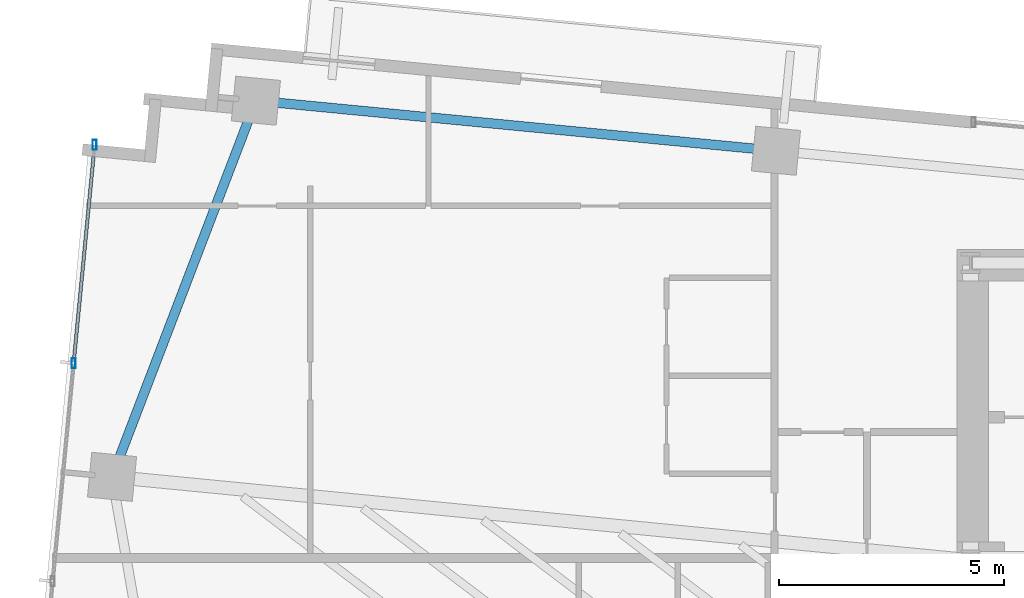
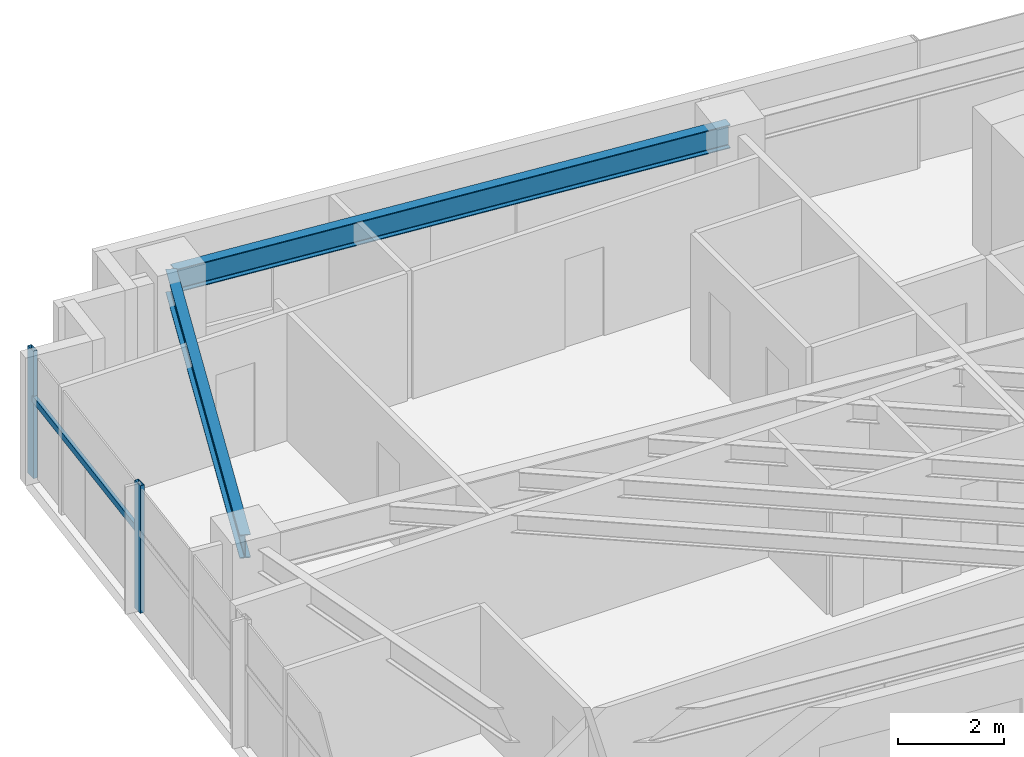
# One storey, part 6 of 20: 3 members, 2 beams, 1 element without a shape of its own.
"""IFC4 building model written with IfcOpenShell, lengths in metres."""

from ifc_helpers import new_model, si_unit, direction, frame, origin, origin_2d, place, context, subcontext, project, spatial, hollow_rectangle, i_section, extrude, source, transform, mapped, material, material_profile, profile_set, type_object, type_shapes, element, aggregate, save


model = new_model("IFC4")

# Units and contexts
model_context = context("Model", 3, precision=1e-05, world=origin(), true_north=direction((0.0, 1.0)))
body_context = subcontext(model_context, "Body", "Model", "MODEL_VIEW")
ifc_project = project(units=[si_unit("LENGTHUNIT", "METRE"), si_unit("AREAUNIT", "SQUARE_METRE"), si_unit("VOLUMEUNIT", "CUBIC_METRE"), si_unit("PLANEANGLEUNIT", "RADIAN"), si_unit("MASSUNIT", "GRAM", prefix="KILO")], contexts=[model_context])

# Site, building, storey
site_placement = place(None, origin())
site = spatial("IfcSite", under=ifc_project, at=site_placement, CompositionType="ELEMENT")
building_placement = place(site_placement, origin())
building = spatial("IfcBuilding", under=site, at=building_placement, Name="Astriad Promenade Condominiums", CompositionType="ELEMENT")
storey_placement = place(building_placement, frame((0.0, 0.0, 131.0)))
storey = spatial("IfcBuildingStorey", under=building, at=storey_placement, Name="L37", CompositionType="ELEMENT", Elevation=131.0)

# Beams
ifc_material_1 = material(Name="Steel ASTM A992 Grade 50", Category="steel")
ifc_material_profile_1 = material_profile(ifc_material_1, i_section(OverallWidth=0.210693359375, OverallDepth=0.53955078125, WebThickness=0.01171875, FlangeThickness=0.018798828125, FilletRadius=0.0166015625, at=origin_2d()), Name="W21X73")
ifc_profile_set_1 = profile_set([ifc_material_profile_1], Name="Steel ASTM A992 Grade 50")
beam_type = type_object("IfcBeamType", Name="STEEL SPANDREL BEAM W21X73", PredefinedType="SPANDREL", material=ifc_profile_set_1)
shared_shape_1 = source(origin(), body_context, "Body", "SweptSolid", [
    extrude(i_section(OverallWidth=0.210693359375, OverallDepth=0.53955078125, WebThickness=0.01171875, FlangeThickness=0.018798828125, FilletRadius=0.0166015625, at=origin_2d()), origin(), (0.0, 0.0, 1.0), 11.52001953125),
])
beam_1_placement = place(storey_placement, frame((22.039794921875, 26.495849609375, 2.67041015625), z_axis=(-0.9953953902, 0.095854145285, 0.0), x_axis=(-0.095854145285, -0.9953953902, 0.0)))
element("IfcBeam", 1, at=beam_1_placement, inside=storey, type_object=beam_type, Name="Perimeter Spandrel Beam SP-N1-L37", PredefinedType="SPANDREL", context=body_context, shape_type="MappedRepresentation", body=[
    mapped(shared_shape_1, transform((0.0, 0.0, 0.0), scale=1.0)),
])
shared_shape_2 = source(origin(), body_context, "Body", "SweptSolid", [
    extrude(i_section(OverallWidth=0.210693359375, OverallDepth=0.53955078125, WebThickness=0.01171875, FlangeThickness=0.018798828125, FilletRadius=0.0166015625, at=origin_2d()), origin(), (0.0, 0.0, 1.0), 8.862548828125),
])
type_shapes(beam_type, [shared_shape_1, shared_shape_2])
beam_2_placement = place(storey_placement, frame((10.518798828125, 27.56640625, 2.67041015625), z_axis=(-0.357322663703, -0.933981003021, 0.0), x_axis=(0.933981003021, -0.357322663703, 0.0)))
element("IfcBeam", 2, at=beam_2_placement, inside=storey, type_object=beam_type, Name="Perimeter Spandrel Beam SP-W2-L37", PredefinedType="SPANDREL", context=body_context, shape_type="MappedRepresentation", body=[
    mapped(shared_shape_2, transform((0.0, 0.0, 0.0), scale=1.0)),
])

# Curtain wall, members
ifc_material_2 = material(Name="Anodised aluminium Black Dark Glass Unitised", Category="aluminium")
curtain_wall_type = type_object("IfcCurtainWallType", Name="CW-B34-DARK", PredefinedType="USERDEFINED", material=ifc_material_2)
curtain_wall_placement = place(storey_placement, origin())
curtain_wall = element("IfcCurtainWall", 3, at=curtain_wall_placement, inside=storey, type_object=curtain_wall_type, Name="CW-L37-W", ObjectType="UNITISED_CURTAIN_WALL", PredefinedType="USERDEFINED")
ifc_material_3 = material(Name="Anodised aluminium 6063-T6 Black", Category="aluminium")
ifc_material_profile_2 = material_profile(ifc_material_3, hollow_rectangle(XDim=0.0849609375, YDim=0.219970703125, WallThickness=0.0048828125, at=origin_2d()), Name="ALU-MUL-85X220")
ifc_profile_set_2 = profile_set([ifc_material_profile_2], Name="Anodised aluminium 6063-T6 Black")
member_type_1 = type_object("IfcMemberType", Name="MUL-ALU-MUL-85X220", PredefinedType="MULLION", material=ifc_profile_set_2)
shared_shape_3 = source(origin(), body_context, "Body", "SweptSolid", [
    extrude(hollow_rectangle(XDim=0.0849609375, YDim=0.219970703125, WallThickness=0.0048828125, at=origin_2d()), origin(), (0.0, 0.0, 1.0), 2.93994140625),
])
type_shapes(member_type_1, [shared_shape_3])
member_1_placement = place(storey_placement, frame((6.486083984375, 21.7783203125, 0.0), z_axis=(0.0, 0.0, 1.0), x_axis=(1.0, 0.0, 0.0)))
member_1 = element("IfcMember", 4, at=member_1_placement, type_object=member_type_1, Name="CW-L37-W-MUL-02", PredefinedType="MULLION", context=body_context, shape_type="MappedRepresentation", body=[
    mapped(shared_shape_3, transform((0.0, 0.0, 0.0), scale=1.0)),
])
member_2_placement = place(storey_placement, frame((6.952392578125, 26.62255859375, 0.0), z_axis=(0.0, 0.0, 1.0), x_axis=(1.0, 0.0, 0.0)))
member_2 = element("IfcMember", 5, at=member_2_placement, type_object=member_type_1, Name="CW-L37-W-MUL-03", PredefinedType="MULLION", context=body_context, shape_type="MappedRepresentation", body=[
    mapped(shared_shape_3, transform((0.0, 0.0, 0.0), scale=1.0)),
])
ifc_material_profile_3 = material_profile(ifc_material_3, hollow_rectangle(XDim=0.074951171875, YDim=0.14990234375, WallThickness=0.004150390625, at=origin_2d()), Name="ALU-TRN-75X150")
ifc_profile_set_3 = profile_set([ifc_material_profile_3], Name="Anodised aluminium 6063-T6 Black")
member_type_2 = type_object("IfcMemberType", Name="TRN-ALU-TRN-75X150", PredefinedType="USERDEFINED", material=ifc_profile_set_3)
shared_shape_4 = source(origin(), body_context, "Body", "SweptSolid", [
    extrude(hollow_rectangle(XDim=0.074951171875, YDim=0.14990234375, WallThickness=0.004150390625, at=origin_2d()), origin(), (0.0, 0.0, 1.0), 4.86669921875),
])
type_shapes(member_type_2, [shared_shape_4])
member_3_placement = place(storey_placement, frame((6.486083984375, 21.7783203125, 1.82275390625), z_axis=(0.095817554883, 0.995398913088, 0.0), x_axis=(-0.995398913088, 0.095817554883, 0.0)))
member_3 = element("IfcMember", 6, at=member_3_placement, type_object=member_type_2, Name="CW-L37-W-TRN-02-0", ObjectType="TRANSOM", PredefinedType="USERDEFINED", context=body_context, shape_type="MappedRepresentation", body=[
    mapped(shared_shape_4, transform((0.0, 0.0, 0.0), scale=1.0)),
])
aggregate(curtain_wall, [member_1, member_2, member_3])

save(model, "model.ifc")
